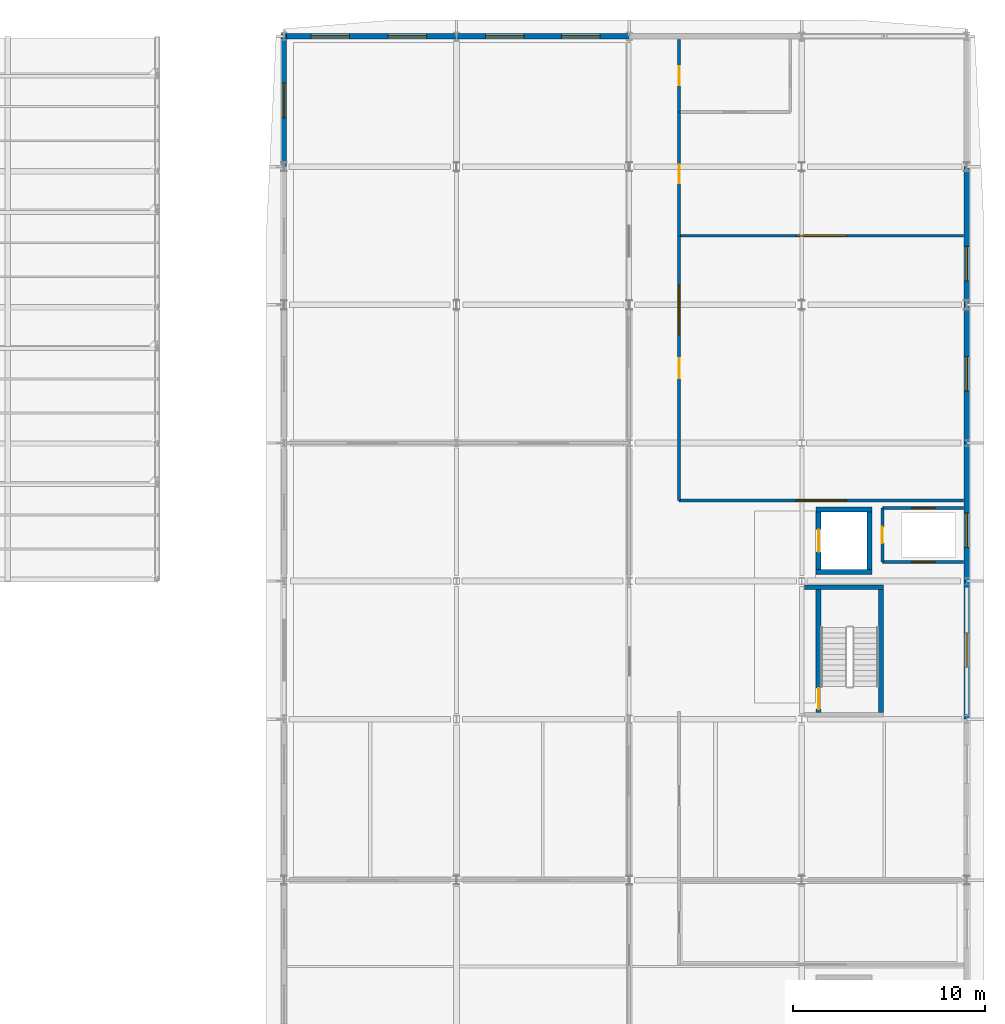
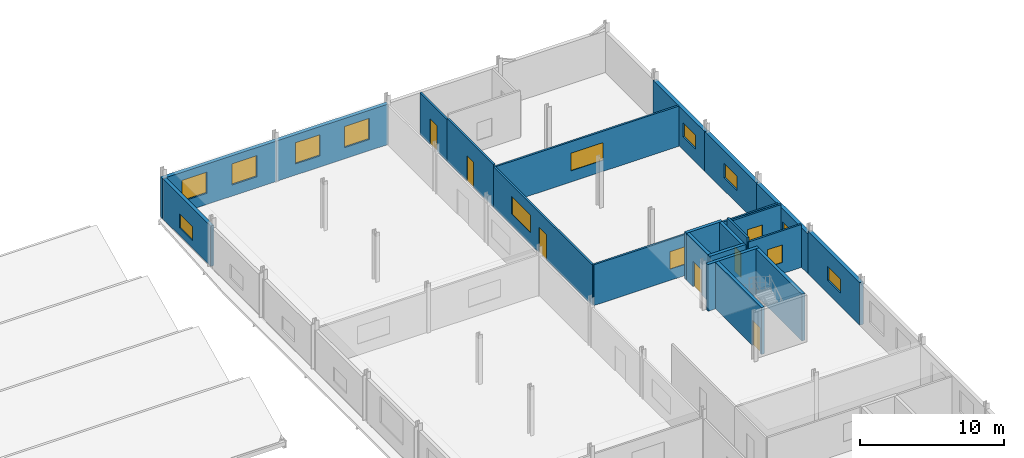
# One storey, part 122 of 138: 22 walls, 14 windows, 6 doors, 20 openings.
"""IFC4 building model written with IfcOpenShell, lengths in metres."""

from ifc_helpers import new_model, si_unit, direction, frame, frame_2d, origin, place, context, subcontext, project, spatial, rectangle, extrude, material, layer, layer_set, type_object, element, fill, save


model = new_model("IFC4")

# Units and contexts
model_context = context("Model", 3, precision=1e-05, world=origin(), true_north=direction((0.0, 1.0)))
body_context = subcontext(model_context, "Body", "Model", "MODEL_VIEW")
ifc_project = project(units=[si_unit("LENGTHUNIT", "METRE"), si_unit("AREAUNIT", "SQUARE_METRE"), si_unit("VOLUMEUNIT", "CUBIC_METRE"), si_unit("PLANEANGLEUNIT", "RADIAN"), si_unit("MASSUNIT", "GRAM", prefix="KILO")], contexts=[model_context])

# Site, building, storey
site_placement = place(None, origin())
site = spatial("IfcSite", under=ifc_project, at=site_placement, CompositionType="ELEMENT")
building_placement = place(site_placement, origin())
building = spatial("IfcBuilding", under=site, at=building_placement, Name="Vinh Khe Railworks Police Headquarters", CompositionType="ELEMENT")
storey_placement = place(building_placement, frame((0.0, 0.0, 9.0)))
storey = spatial("IfcBuildingStorey", under=building, at=storey_placement, Name="L02", CompositionType="ELEMENT", Elevation=9.0)

# Wall
ifc_material_1 = material(Name="Concrete C40/50 (B40)", Category="concrete")
ifc_layer_1 = layer(ifc_material_1, 0.25)
ifc_layer_set_1 = layer_set([ifc_layer_1], Name="Concrete C40/50 (B40)")
wall_type_1 = type_object("IfcWallType", Name="Core Shear Wall 250", PredefinedType="SHEAR", material=ifc_layer_set_1)
wall_1_placement = place(storey_placement, frame((105.14990234375, 137.675048828125, 0.0), z_axis=(0.0, 0.0, 1.0), x_axis=(1.0, 0.0, 0.0)))
element("IfcWall", 1, at=wall_1_placement, inside=storey, type_object=wall_type_1, Name="Core C3 STAIR-N Shear Wall (L02)", PredefinedType="SHEAR", context=body_context, shape_type="SweptSolid", body=[
    extrude(rectangle(XDim=4.10009765625, YDim=0.25, at=frame_2d((2.050048828125, 0.0))), origin(), (0.0, 0.0, 1.0), 3.97998046875),
])

# Wall, opening, door
wall_2_placement = place(storey_placement, frame((105.875, 131.14990234375, 0.0), z_axis=(0.0, 0.0, 1.0), x_axis=(0.0, 1.0, 0.0)))
wall_2 = element("IfcWall", 2, at=wall_2_placement, inside=storey, type_object=wall_type_1, Name="Core C3 STAIR-W Shear Wall (L02)", PredefinedType="SHEAR", context=body_context, shape_type="SweptSolid", body=[
    extrude(rectangle(XDim=6.400146484375, YDim=0.25, at=frame_2d((3.2001953125, 0.0))), origin(), (0.0, 0.0, 1.0), 3.97998046875),
])
opening_1_placement = place(wall_2_placement, frame((0.169921875, 0.0, 0.0)))
opening_1 = element("IfcOpeningElement", 3, at=opening_1_placement, cuts=wall_2, Name="Opening FD-01", PredefinedType="OPENING", context=body_context, shape_type="SweptSolid", body=[
    extrude(rectangle(XDim=1.10009765625, YDim=2.14990234375, at=frame_2d((0.550048828125, 1.074951171875))), frame((0.0, 0.139892578125, 0.0), z_axis=(0.0, -1.0, 0.0), x_axis=(1.0, 0.0, 0.0)), (0.0, 0.0, 1.0), 0.27978515625),
])
ifc_material_2 = material(Name="Painted galvanised steel", Category="steel")
door_type_1 = type_object("IfcDoorType", Name="FD-1100x2150", OperationType="NOTDEFINED", PredefinedType="DOOR", material=ifc_material_2)
door_1_placement = place(opening_1_placement, origin())
door_1 = element("IfcDoor", 4, at=door_1_placement, inside=storey, type_object=door_type_1, Name="Escape Stair ST-03 Fire Door L02", OperationType="SINGLE_SWING_LEFT", OverallHeight=2.14990234375, OverallWidth=1.10009765625, PredefinedType="DOOR", context=body_context, shape_type="SweptSolid", body=[
    extrude(rectangle(XDim=1.10009765625, YDim=2.14990234375, at=frame_2d((0.550048828125, 1.074951171875))), frame((0.0, 0.02490234375, 0.0), z_axis=(0.0, -1.0, 0.0), x_axis=(1.0, 0.0, 0.0)), (0.0, 0.0, 1.0), 0.050048828125),
])
fill(opening_1, door_1)

# Walls
wall_3_placement = place(storey_placement, frame((109.125, 131.14990234375, 0.0), z_axis=(0.0, 0.0, 1.0), x_axis=(0.0, 1.0, 0.0)))
element("IfcWall", 5, at=wall_3_placement, inside=storey, type_object=wall_type_1, Name="Core C3 STAIR-E Shear Wall (L02)", PredefinedType="SHEAR", context=body_context, shape_type="SweptSolid", body=[
    extrude(rectangle(XDim=6.400146484375, YDim=0.25, at=frame_2d((3.2001953125, 0.0))), origin(), (0.0, 0.0, 1.0), 3.97998046875),
])
for number, where, z_axis, x_axis, name in (
    (6, (105.75, 138.47509765625, 0.0), (0.0, 0.0, 1.0), (1.0, 0.0, 0.0), "Core C3 PL-S Lift Shaft Wall (L02)"),
    (7, (105.75, 141.72509765625, 0.0), (0.0, 0.0, 1.0), (1.0, 0.0, 0.0), "Core C3 PL-N Lift Shaft Wall (L02)"),
):
    element("IfcWall", number, at=place(storey_placement, frame(where, z_axis=z_axis, x_axis=x_axis)), inside=storey, type_object=wall_type_1, Name=name, PredefinedType="SHEAR", context=body_context, shape_type="SweptSolid", body=[
        extrude(rectangle(XDim=2.89990234375, YDim=0.25, at=frame_2d((1.449951171875, 0.0))), origin(), (0.0, 0.0, 1.0), 3.97998046875),
    ])

# Wall, opening, door
wall_4_placement = place(storey_placement, frame((105.875, 138.60009765625, 0.0), z_axis=(0.0, 0.0, 1.0), x_axis=(0.0, 1.0, 0.0)))
wall_4 = element("IfcWall", 8, at=wall_4_placement, inside=storey, type_object=wall_type_1, Name="Core C3 PL-W Lift Shaft Wall (L02)", PredefinedType="SHEAR", context=body_context, shape_type="SweptSolid", body=[
    extrude(rectangle(XDim=3.0, YDim=0.25, at=frame_2d((1.5, 0.0))), origin(), (0.0, 0.0, 1.0), 3.97998046875),
])
opening_2_placement = place(wall_4_placement, frame((0.925048828125, 0.0, 0.0)))
opening_2 = element("IfcOpeningElement", 9, at=opening_2_placement, cuts=wall_4, Name="Opening LD-03", PredefinedType="OPENING", context=body_context, shape_type="SweptSolid", body=[
    extrude(rectangle(XDim=1.14990234375, YDim=2.14990234375, at=frame_2d((0.574951171875, 1.074951171875))), frame((0.0, 0.139892578125, 0.0), z_axis=(0.0, -1.0, 0.0), x_axis=(1.0, 0.0, 0.0)), (0.0, 0.0, 1.0), 0.27978515625),
])
door_type_2 = type_object("IfcDoorType", Name="LD-CUST-1150", OperationType="SLIDING_TO_LEFT", PredefinedType="DOOR", material=ifc_material_2)
door_2_placement = place(opening_2_placement, origin())
door_2 = element("IfcDoor", 10, at=door_2_placement, inside=storey, type_object=door_type_2, Name="Lift Landing Door PL-03 L02", OperationType="SLIDING_TO_LEFT", OverallHeight=2.14990234375, OverallWidth=1.14990234375, PredefinedType="DOOR", context=body_context, shape_type="SweptSolid", body=[
    extrude(rectangle(XDim=1.14990234375, YDim=2.14990234375, at=frame_2d((0.574951171875, 1.074951171875))), frame((0.0, 0.02490234375, 0.0), z_axis=(0.0, -1.0, 0.0), x_axis=(1.0, 0.0, 0.0)), (0.0, 0.0, 1.0), 0.050048828125),
])
fill(opening_2, door_2)

# Wall
wall_5_placement = place(storey_placement, frame((108.52490234375, 138.60009765625, 0.0), z_axis=(0.0, 0.0, 1.0), x_axis=(0.0, 1.0, 0.0)))
element("IfcWall", 11, at=wall_5_placement, inside=storey, type_object=wall_type_1, Name="Core C3 PL-E Lift Shaft Wall (L02)", PredefinedType="SHEAR", context=body_context, shape_type="SweptSolid", body=[
    extrude(rectangle(XDim=3.0, YDim=0.25, at=frame_2d((1.5, 0.0))), origin(), (0.0, 0.0, 1.0), 3.97998046875),
])

# Wall, opening, window
ifc_material_3 = material(Name="Clay brickwork", Category="masonry")
ifc_layer_2 = layer(ifc_material_3, 0.260009765625)
ifc_layer_set_2 = layer_set([ifc_layer_2], Name="Clay brickwork")
wall_type_2 = type_object("IfcWallType", Name="EW-BRK-260", PredefinedType="SOLIDWALL", material=ifc_layer_set_2)
wall_6_placement = place(storey_placement, frame((78.0, 159.60009765625, 0.0), z_axis=(0.0, 0.0, 1.0), x_axis=(0.0, 1.0, 0.0)))
wall_6 = element("IfcWall", 12, at=wall_6_placement, inside=storey, type_object=wall_type_2, Name="Exterior Brick Wall EW-L02-V6W-09", PredefinedType="SOLIDWALL", context=body_context, shape_type="SweptSolid", body=[
    extrude(rectangle(XDim=6.929931640625, YDim=0.260009765625, at=frame_2d((3.46484375, 0.0))), origin(), (0.0, 0.0, 1.0), 3.425048828125),
])
opening_3_placement = place(wall_6_placement, frame((2.56494140625, 0.0, 0.64990234375)))
opening_3 = element("IfcOpeningElement", 13, at=opening_3_placement, cuts=wall_6, Name="Opening WN-08", PredefinedType="OPENING", context=body_context, shape_type="SweptSolid", body=[
    extrude(rectangle(XDim=1.800048828125, YDim=1.199951171875, at=frame_2d((0.89990234375, 0.60009765625))), frame((0.0, 0.14501953125, 0.0), z_axis=(0.0, -1.0, 0.0), x_axis=(1.0, 0.0, 0.0)), (0.0, 0.0, 1.0), 0.289794921875),
])
ifc_material_4 = material(Name="Double-glazed solar-control glass in dark steel frame", Category="steel")
window_type_1 = type_object("IfcWindowType", Name="WIN-WN-08", PartitioningType="SINGLE_PANEL", PredefinedType="WINDOW", material=ifc_material_4)
window_1_placement = place(opening_3_placement, origin())
window_1 = element("IfcWindow", 14, at=window_1_placement, inside=storey, type_object=window_type_1, Name="Casement Window WN-08", OverallHeight=1.199951171875, OverallWidth=1.800048828125, PartitioningType="SINGLE_PANEL", PredefinedType="WINDOW", context=body_context, shape_type="SweptSolid", body=[
    extrude(rectangle(XDim=1.800048828125, YDim=1.199951171875, at=frame_2d((0.89990234375, 0.60009765625))), frame((0.0, 0.030029296875, 0.0), z_axis=(0.0, -1.0, 0.0), x_axis=(1.0, 0.0, 0.0)), (0.0, 0.0, 1.0), 0.06005859375),
])
fill(opening_3, window_1)

ifc_layer_3 = layer(ifc_material_3, 0.300048828125)
ifc_layer_set_3 = layer_set([ifc_layer_3], Name="Clay brickwork")
wall_type_3 = type_object("IfcWallType", Name="EW-BRK-300", PredefinedType="SOLIDWALL", material=ifc_layer_set_3)
wall_7_placement = place(storey_placement, frame((113.60009765625, 130.800048828125, 0.0), z_axis=(0.0, 0.0, 1.0), x_axis=(0.0, 1.0, 0.0)))
wall_7 = element("IfcWall", 15, at=wall_7_placement, inside=storey, type_object=wall_type_3, Name="Exterior Brick Wall EW-L02-V6E-05", PredefinedType="SOLIDWALL", context=body_context, shape_type="SweptSolid", body=[
    extrude(rectangle(XDim=7.199951171875, YDim=0.300048828125, at=frame_2d((3.60009765625, 0.0))), origin(), (0.0, 0.0, 1.0), 3.625),
])
opening_4_placement = place(wall_7_placement, frame((2.699951171875, 0.0, 1.10009765625)))
opening_4 = element("IfcOpeningElement", 16, at=opening_4_placement, cuts=wall_7, Name="Opening WN-08", PredefinedType="OPENING", context=body_context, shape_type="SweptSolid", body=[
    extrude(rectangle(XDim=1.800048828125, YDim=1.199951171875, at=frame_2d((0.89990234375, 0.60009765625))), frame((0.0, 0.1650390625, 0.0), z_axis=(0.0, -1.0, 0.0), x_axis=(1.0, 0.0, 0.0)), (0.0, 0.0, 1.0), 0.329833984375),
])
window_2_placement = place(opening_4_placement, origin())
window_2 = element("IfcWindow", 17, at=window_2_placement, inside=storey, type_object=window_type_1, Name="Casement Window WN-08", OverallHeight=1.199951171875, OverallWidth=1.800048828125, PartitioningType="SINGLE_PANEL", PredefinedType="WINDOW", context=body_context, shape_type="SweptSolid", body=[
    extrude(rectangle(XDim=1.800048828125, YDim=1.199951171875, at=frame_2d((0.89990234375, 0.60009765625))), frame((0.0, 0.030029296875, 0.0), z_axis=(0.0, -1.0, 0.0), x_axis=(1.0, 0.0, 0.0)), (0.0, 0.0, 1.0), 0.06005859375),
])
fill(opening_4, window_2)

wall_8_placement = place(storey_placement, frame((113.60009765625, 138.0, 0.0), z_axis=(0.0, 0.0, 1.0), x_axis=(0.0, 1.0, 0.0)))
wall_8 = element("IfcWall", 18, at=wall_8_placement, inside=storey, type_object=wall_type_3, Name="Exterior Brick Wall EW-L02-V6E-06", PredefinedType="SOLIDWALL", context=body_context, shape_type="SweptSolid", body=[
    extrude(rectangle(XDim=7.199951171875, YDim=0.300048828125, at=frame_2d((3.60009765625, 0.0))), origin(), (0.0, 0.0, 1.0), 3.375),
])
opening_5_placement = place(wall_8_placement, frame((1.75, 0.0, 1.10009765625)))
opening_5 = element("IfcOpeningElement", 19, at=opening_5_placement, cuts=wall_8, Name="Opening WN-08", PredefinedType="OPENING", context=body_context, shape_type="SweptSolid", body=[
    extrude(rectangle(XDim=1.800048828125, YDim=1.199951171875, at=frame_2d((0.89990234375, 0.60009765625))), frame((0.0, 0.1650390625, 0.0), z_axis=(0.0, -1.0, 0.0), x_axis=(1.0, 0.0, 0.0)), (0.0, 0.0, 1.0), 0.329833984375),
])
window_3_placement = place(opening_5_placement, origin())
window_3 = element("IfcWindow", 20, at=window_3_placement, inside=storey, type_object=window_type_1, Name="Casement Window WN-08", OverallHeight=1.199951171875, OverallWidth=1.800048828125, PartitioningType="SINGLE_PANEL", PredefinedType="WINDOW", context=body_context, shape_type="SweptSolid", body=[
    extrude(rectangle(XDim=1.800048828125, YDim=1.199951171875, at=frame_2d((0.89990234375, 0.60009765625))), frame((0.0, 0.030029296875, 0.0), z_axis=(0.0, -1.0, 0.0), x_axis=(1.0, 0.0, 0.0)), (0.0, 0.0, 1.0), 0.06005859375),
])
fill(opening_5, window_3)

wall_9_placement = place(storey_placement, frame((113.60009765625, 145.199951171875, 0.0), z_axis=(0.0, 0.0, 1.0), x_axis=(0.0, 1.0, 0.0)))
wall_9 = element("IfcWall", 21, at=wall_9_placement, inside=storey, type_object=wall_type_3, Name="Exterior Brick Wall EW-L02-V6E-07", PredefinedType="SOLIDWALL", context=body_context, shape_type="SweptSolid", body=[
    extrude(rectangle(XDim=7.199951171875, YDim=0.300048828125, at=frame_2d((3.60009765625, 0.0))), origin(), (0.0, 0.0, 1.0), 3.375),
])
opening_6_placement = place(wall_9_placement, frame((2.699951171875, 0.0, 1.10009765625)))
opening_6 = element("IfcOpeningElement", 22, at=opening_6_placement, cuts=wall_9, Name="Opening WN-08", PredefinedType="OPENING", context=body_context, shape_type="SweptSolid", body=[
    extrude(rectangle(XDim=1.800048828125, YDim=1.199951171875, at=frame_2d((0.89990234375, 0.60009765625))), frame((0.0, 0.1650390625, 0.0), z_axis=(0.0, -1.0, 0.0), x_axis=(1.0, 0.0, 0.0)), (0.0, 0.0, 1.0), 0.329833984375),
])
window_4_placement = place(opening_6_placement, origin())
window_4 = element("IfcWindow", 23, at=window_4_placement, inside=storey, type_object=window_type_1, Name="Casement Window WN-08", OverallHeight=1.199951171875, OverallWidth=1.800048828125, PartitioningType="SINGLE_PANEL", PredefinedType="WINDOW", context=body_context, shape_type="SweptSolid", body=[
    extrude(rectangle(XDim=1.800048828125, YDim=1.199951171875, at=frame_2d((0.89990234375, 0.60009765625))), frame((0.0, 0.030029296875, 0.0), z_axis=(0.0, -1.0, 0.0), x_axis=(1.0, 0.0, 0.0)), (0.0, 0.0, 1.0), 0.06005859375),
])
fill(opening_6, window_4)

wall_10_placement = place(storey_placement, frame((113.60009765625, 152.39990234375, 0.0), z_axis=(0.0, 0.0, 1.0), x_axis=(0.0, 1.0, 0.0)))
wall_10 = element("IfcWall", 24, at=wall_10_placement, inside=storey, type_object=wall_type_3, Name="Exterior Brick Wall EW-L02-V6E-08", PredefinedType="SOLIDWALL", context=body_context, shape_type="SweptSolid", body=[
    extrude(rectangle(XDim=7.2001953125, YDim=0.300048828125, at=frame_2d((3.60009765625, 0.0))), origin(), (0.0, 0.0, 1.0), 3.375),
])
opening_7_placement = place(wall_10_placement, frame((1.25, 0.0, 1.10009765625)))
opening_7 = element("IfcOpeningElement", 25, at=opening_7_placement, cuts=wall_10, Name="Opening WN-08", PredefinedType="OPENING", context=body_context, shape_type="SweptSolid", body=[
    extrude(rectangle(XDim=1.800048828125, YDim=1.199951171875, at=frame_2d((0.89990234375, 0.60009765625))), frame((0.0, 0.1650390625, 0.0), z_axis=(0.0, -1.0, 0.0), x_axis=(1.0, 0.0, 0.0)), (0.0, 0.0, 1.0), 0.329833984375),
])
window_5_placement = place(opening_7_placement, origin())
window_5 = element("IfcWindow", 26, at=window_5_placement, inside=storey, type_object=window_type_1, Name="Casement Window WN-08", OverallHeight=1.199951171875, OverallWidth=1.800048828125, PartitioningType="SINGLE_PANEL", PredefinedType="WINDOW", context=body_context, shape_type="SweptSolid", body=[
    extrude(rectangle(XDim=1.800048828125, YDim=1.199951171875, at=frame_2d((0.89990234375, 0.60009765625))), frame((0.0, 0.030029296875, 0.0), z_axis=(0.0, -1.0, 0.0), x_axis=(1.0, 0.0, 0.0)), (0.0, 0.0, 1.0), 0.06005859375),
])
fill(opening_7, window_5)

# Wall, openings, windows
wall_11_placement = place(storey_placement, frame((77.85009765625, 166.39990234375, 0.0), z_axis=(0.0, 0.0, 1.0), x_axis=(1.0, 0.0, 0.0)))
wall_11 = element("IfcWall", 27, at=wall_11_placement, inside=storey, type_object=wall_type_3, Name="Exterior Brick Wall EW-L02-V6N-01", PredefinedType="SOLIDWALL", context=body_context, shape_type="SweptSolid", body=[
    extrude(rectangle(XDim=9.14990234375, YDim=0.300048828125, at=frame_2d((4.574951171875, 0.0))), origin(), (0.0, 0.0, 1.0), 3.43505859375),
])
opening_8_placement = place(wall_11_placement, frame((1.56201171875, 0.0, 0.949951171875)))
opening_8 = element("IfcOpeningElement", 28, at=opening_8_placement, cuts=wall_11, Name="Opening WN-04", PredefinedType="OPENING", context=body_context, shape_type="SweptSolid", body=[
    extrude(rectangle(XDim=2.0, YDim=1.800048828125, at=frame_2d((1.0, 0.89990234375))), frame((0.0, 0.1650390625, 0.0), z_axis=(0.0, -1.0, 0.0), x_axis=(1.0, 0.0, 0.0)), (0.0, 0.0, 1.0), 0.329833984375),
])
opening_9_placement = place(wall_11_placement, frame((5.587890625, 0.0, 0.949951171875)))
opening_9 = element("IfcOpeningElement", 29, at=opening_9_placement, cuts=wall_11, Name="Opening WN-04", PredefinedType="OPENING", context=body_context, shape_type="SweptSolid", body=[
    extrude(rectangle(XDim=2.0, YDim=1.800048828125, at=frame_2d((1.0, 0.89990234375))), frame((0.0, 0.1650390625, 0.0), z_axis=(0.0, -1.0, 0.0), x_axis=(1.0, 0.0, 0.0)), (0.0, 0.0, 1.0), 0.329833984375),
])
window_type_2 = type_object("IfcWindowType", Name="WIN-WN-04", PartitioningType="DOUBLE_PANEL_VERTICAL", PredefinedType="WINDOW", material=ifc_material_4)
window_6_placement = place(opening_8_placement, origin())
window_6 = element("IfcWindow", 30, at=window_6_placement, inside=storey, type_object=window_type_2, Name="Casement Window WN-04", OverallHeight=1.800048828125, OverallWidth=2.0, PartitioningType="SINGLE_PANEL", PredefinedType="WINDOW", context=body_context, shape_type="SweptSolid", body=[
    extrude(rectangle(XDim=2.0, YDim=1.800048828125, at=frame_2d((1.0, 0.89990234375))), frame((0.0, 0.030029296875, 0.0), z_axis=(0.0, -1.0, 0.0), x_axis=(1.0, 0.0, 0.0)), (0.0, 0.0, 1.0), 0.06005859375),
])
fill(opening_8, window_6)
window_7_placement = place(opening_9_placement, origin())
window_7 = element("IfcWindow", 31, at=window_7_placement, inside=storey, type_object=window_type_2, Name="Casement Window WN-04", OverallHeight=1.800048828125, OverallWidth=2.0, PartitioningType="SINGLE_PANEL", PredefinedType="WINDOW", context=body_context, shape_type="SweptSolid", body=[
    extrude(rectangle(XDim=2.0, YDim=1.800048828125, at=frame_2d((1.0, 0.89990234375))), frame((0.0, 0.030029296875, 0.0), z_axis=(0.0, -1.0, 0.0), x_axis=(1.0, 0.0, 0.0)), (0.0, 0.0, 1.0), 0.06005859375),
])
fill(opening_9, window_7)

wall_12_placement = place(storey_placement, frame((87.0, 166.39990234375, 0.0), z_axis=(0.0, 0.0, 1.0), x_axis=(1.0, 0.0, 0.0)))
wall_12 = element("IfcWall", 32, at=wall_12_placement, inside=storey, type_object=wall_type_3, Name="Exterior Brick Wall EW-L02-V6N-02", PredefinedType="SOLIDWALL", context=body_context, shape_type="SweptSolid", body=[
    extrude(rectangle(XDim=9.0, YDim=0.300048828125, at=frame_2d((4.5, 0.0))), origin(), (0.0, 0.0, 1.0), 3.43505859375),
])
opening_10_placement = place(wall_12_placement, frame((1.52001953125, 0.0, 0.949951171875)))
opening_10 = element("IfcOpeningElement", 33, at=opening_10_placement, cuts=wall_12, Name="Opening WN-04", PredefinedType="OPENING", context=body_context, shape_type="SweptSolid", body=[
    extrude(rectangle(XDim=2.0, YDim=1.800048828125, at=frame_2d((1.0, 0.89990234375))), frame((0.0, 0.1650390625, 0.0), z_axis=(0.0, -1.0, 0.0), x_axis=(1.0, 0.0, 0.0)), (0.0, 0.0, 1.0), 0.329833984375),
])
opening_11_placement = place(wall_12_placement, frame((5.47998046875, 0.0, 0.949951171875)))
opening_11 = element("IfcOpeningElement", 34, at=opening_11_placement, cuts=wall_12, Name="Opening WN-04", PredefinedType="OPENING", context=body_context, shape_type="SweptSolid", body=[
    extrude(rectangle(XDim=2.0, YDim=1.800048828125, at=frame_2d((1.0, 0.89990234375))), frame((0.0, 0.1650390625, 0.0), z_axis=(0.0, -1.0, 0.0), x_axis=(1.0, 0.0, 0.0)), (0.0, 0.0, 1.0), 0.329833984375),
])
window_8_placement = place(opening_10_placement, origin())
window_8 = element("IfcWindow", 35, at=window_8_placement, inside=storey, type_object=window_type_2, Name="Casement Window WN-04", OverallHeight=1.800048828125, OverallWidth=2.0, PartitioningType="SINGLE_PANEL", PredefinedType="WINDOW", context=body_context, shape_type="SweptSolid", body=[
    extrude(rectangle(XDim=2.0, YDim=1.800048828125, at=frame_2d((1.0, 0.89990234375))), frame((0.0, 0.030029296875, 0.0), z_axis=(0.0, -1.0, 0.0), x_axis=(1.0, 0.0, 0.0)), (0.0, 0.0, 1.0), 0.06005859375),
])
fill(opening_10, window_8)
window_9_placement = place(opening_11_placement, origin())
window_9 = element("IfcWindow", 36, at=window_9_placement, inside=storey, type_object=window_type_2, Name="Casement Window WN-04", OverallHeight=1.800048828125, OverallWidth=2.0, PartitioningType="SINGLE_PANEL", PredefinedType="WINDOW", context=body_context, shape_type="SweptSolid", body=[
    extrude(rectangle(XDim=2.0, YDim=1.800048828125, at=frame_2d((1.0, 0.89990234375))), frame((0.0, 0.030029296875, 0.0), z_axis=(0.0, -1.0, 0.0), x_axis=(1.0, 0.0, 0.0)), (0.0, 0.0, 1.0), 0.06005859375),
])
fill(opening_11, window_9)

# Wall, opening, window
ifc_material_5 = material(Name="Gypsum plasterboard on steel stud", Category="steel")
ifc_layer_4 = layer(ifc_material_5, 0.1201171875)
ifc_layer_set_4 = layer_set([ifc_layer_4], Name="Gypsum plasterboard on steel stud")
wall_type_4 = type_object("IfcWallType", Name="IW-PART-120", PredefinedType="PARTITIONING", material=ifc_layer_set_4)
wall_13_placement = place(storey_placement, frame((98.60009765625, 142.199951171875, 0.0), z_axis=(0.0, 0.0, 1.0), x_axis=(1.0, 0.0, 0.0)))
wall_13 = element("IfcWall", 37, at=wall_13_placement, inside=storey, type_object=wall_type_4, Name="Interior Partition W-L02-V6-QDOC-DIV", PredefinedType="PARTITIONING", context=body_context, shape_type="SweptSolid", body=[
    extrude(rectangle(XDim=14.83984375, YDim=0.14990234375, at=frame_2d((7.419921875, 0.0))), origin(), (0.0, 0.0, 1.0), 3.47509765625),
])
opening_12_placement = place(wall_13_placement, frame((6.1201171875, 0.0, 0.949951171875)))
opening_12 = element("IfcOpeningElement", 38, at=opening_12_placement, cuts=wall_13, Name="Opening WN-07", PredefinedType="OPENING", context=body_context, shape_type="SweptSolid", body=[
    extrude(rectangle(XDim=2.60009765625, YDim=1.5, at=frame_2d((1.300048828125, 0.75))), frame((0.0, 0.08984375, 0.0), z_axis=(0.0, -1.0, 0.0), x_axis=(1.0, 0.0, 0.0)), (0.0, 0.0, 1.0), 0.1796875),
])
window_type_3 = type_object("IfcWindowType", Name="WIN-WN-07", PartitioningType="DOUBLE_PANEL_HORIZONTAL", PredefinedType="WINDOW", material=ifc_material_4)
window_10_placement = place(opening_12_placement, origin())
window_10 = element("IfcWindow", 39, at=window_10_placement, inside=storey, type_object=window_type_3, Name="Interior Acoustic Vision Window WN-07", OverallHeight=1.5, OverallWidth=2.60009765625, PartitioningType="SINGLE_PANEL", PredefinedType="WINDOW", context=body_context, shape_type="SweptSolid", body=[
    extrude(rectangle(XDim=2.60009765625, YDim=1.5, at=frame_2d((1.300048828125, 0.75))), frame((0.0, 0.030029296875, 0.0), z_axis=(0.0, -1.0, 0.0), x_axis=(1.0, 0.0, 0.0)), (0.0, 0.0, 1.0), 0.06005859375),
])
fill(opening_12, window_10)

wall_14_placement = place(storey_placement, frame((98.60009765625, 156.0, 0.0), z_axis=(0.0, 0.0, 1.0), x_axis=(1.0, 0.0, 0.0)))
wall_14 = element("IfcWall", 40, at=wall_14_placement, inside=storey, type_object=wall_type_4, Name="Interior Partition W-L02-V6-V6WC2-DIV", PredefinedType="PARTITIONING", context=body_context, shape_type="SweptSolid", body=[
    extrude(rectangle(XDim=14.83984375, YDim=0.14990234375, at=frame_2d((7.419921875, 0.0))), origin(), (0.0, 0.0, 1.0), 3.425048828125),
])
opening_13_placement = place(wall_14_placement, frame((6.1201171875, 0.0, 0.949951171875)))
opening_13 = element("IfcOpeningElement", 41, at=opening_13_placement, cuts=wall_14, Name="Opening WN-07", PredefinedType="OPENING", context=body_context, shape_type="SweptSolid", body=[
    extrude(rectangle(XDim=2.60009765625, YDim=1.5, at=frame_2d((1.300048828125, 0.75))), frame((0.0, 0.08984375, 0.0), z_axis=(0.0, -1.0, 0.0), x_axis=(1.0, 0.0, 0.0)), (0.0, 0.0, 1.0), 0.1796875),
])
window_11_placement = place(opening_13_placement, origin())
window_11 = element("IfcWindow", 42, at=window_11_placement, inside=storey, type_object=window_type_3, Name="Interior Acoustic Vision Window WN-07", OverallHeight=1.5, OverallWidth=2.60009765625, PartitioningType="SINGLE_PANEL", PredefinedType="WINDOW", context=body_context, shape_type="SweptSolid", body=[
    extrude(rectangle(XDim=2.60009765625, YDim=1.5, at=frame_2d((1.300048828125, 0.75))), frame((0.0, 0.030029296875, 0.0), z_axis=(0.0, -1.0, 0.0), x_axis=(1.0, 0.0, 0.0)), (0.0, 0.0, 1.0), 0.06005859375),
])
fill(opening_13, window_11)

ifc_material_6 = material(Name="Gypsum plasterboard on acoustic steel stud", Category="steel")
ifc_layer_5 = layer(ifc_material_6, 0.14990234375)
ifc_layer_set_5 = layer_set([ifc_layer_5], Name="Gypsum plasterboard on acoustic steel stud")
wall_type_5 = type_object("IfcWallType", Name="IW-PART-150", PredefinedType="PARTITIONING", material=ifc_layer_set_5)
wall_15_placement = place(storey_placement, frame((109.199951171875, 139.0, 0.0), z_axis=(0.0, 0.0, 1.0), x_axis=(1.0, 0.0, 0.0)))
wall_15 = element("IfcWall", 43, at=wall_15_placement, inside=storey, type_object=wall_type_5, Name="Interior Partition W-RSR-C3-S-L02", PredefinedType="PARTITIONING", context=body_context, shape_type="SweptSolid", body=[
    extrude(rectangle(XDim=4.239990234375, YDim=0.14990234375, at=frame_2d((2.1201171875, 0.0))), origin(), (0.0, 0.0, 1.0), 3.64501953125),
])
opening_14_placement = place(wall_15_placement, frame((1.52001953125, 0.0, 0.949951171875)))
opening_14 = element("IfcOpeningElement", 44, at=opening_14_placement, cuts=wall_15, Name="Opening WN-10", PredefinedType="OPENING", context=body_context, shape_type="SweptSolid", body=[
    extrude(rectangle(XDim=1.199951171875, YDim=1.5, at=frame_2d((0.60009765625, 0.75))), frame((0.0, 0.08984375, 0.0), z_axis=(0.0, -1.0, 0.0), x_axis=(1.0, 0.0, 0.0)), (0.0, 0.0, 1.0), 0.1796875),
])
window_type_4 = type_object("IfcWindowType", Name="WIN-WN-10", PartitioningType="SINGLE_PANEL", PredefinedType="WINDOW", material=ifc_material_4)
window_12_placement = place(opening_14_placement, origin())
window_12 = element("IfcWindow", 45, at=window_12_placement, inside=storey, type_object=window_type_4, Name="Interior Acoustic Vision Window WN-10", OverallHeight=1.5, OverallWidth=1.199951171875, PartitioningType="SINGLE_PANEL", PredefinedType="WINDOW", context=body_context, shape_type="SweptSolid", body=[
    extrude(rectangle(XDim=1.199951171875, YDim=1.5, at=frame_2d((0.60009765625, 0.75))), frame((0.0, 0.030029296875, 0.0), z_axis=(0.0, -1.0, 0.0), x_axis=(1.0, 0.0, 0.0)), (0.0, 0.0, 1.0), 0.06005859375),
])
fill(opening_14, window_12)

wall_16_placement = place(storey_placement, frame((109.199951171875, 141.800048828125, 0.0), z_axis=(0.0, 0.0, 1.0), x_axis=(1.0, 0.0, 0.0)))
wall_16 = element("IfcWall", 46, at=wall_16_placement, inside=storey, type_object=wall_type_5, Name="Interior Partition W-RSR-C3-N-L02", PredefinedType="PARTITIONING", context=body_context, shape_type="SweptSolid", body=[
    extrude(rectangle(XDim=4.239990234375, YDim=0.14990234375, at=frame_2d((2.1201171875, 0.0))), origin(), (0.0, 0.0, 1.0), 3.64501953125),
])
opening_15_placement = place(wall_16_placement, frame((1.52001953125, 0.0, 0.949951171875)))
opening_15 = element("IfcOpeningElement", 47, at=opening_15_placement, cuts=wall_16, Name="Opening WN-10", PredefinedType="OPENING", context=body_context, shape_type="SweptSolid", body=[
    extrude(rectangle(XDim=1.199951171875, YDim=1.5, at=frame_2d((0.60009765625, 0.75))), frame((0.0, 0.08984375, 0.0), z_axis=(0.0, -1.0, 0.0), x_axis=(1.0, 0.0, 0.0)), (0.0, 0.0, 1.0), 0.1796875),
])
window_13_placement = place(opening_15_placement, origin())
window_13 = element("IfcWindow", 48, at=window_13_placement, inside=storey, type_object=window_type_4, Name="Interior Acoustic Vision Window WN-10", OverallHeight=1.5, OverallWidth=1.199951171875, PartitioningType="SINGLE_PANEL", PredefinedType="WINDOW", context=body_context, shape_type="SweptSolid", body=[
    extrude(rectangle(XDim=1.199951171875, YDim=1.5, at=frame_2d((0.60009765625, 0.75))), frame((0.0, 0.030029296875, 0.0), z_axis=(0.0, -1.0, 0.0), x_axis=(1.0, 0.0, 0.0)), (0.0, 0.0, 1.0), 0.06005859375),
])
fill(opening_15, window_13)

# Wall, opening, door
wall_17_placement = place(storey_placement, frame((109.199951171875, 139.0, 0.0), z_axis=(0.0, 0.0, 1.0), x_axis=(0.0, 1.0, 0.0)))
wall_17 = element("IfcWall", 49, at=wall_17_placement, inside=storey, type_object=wall_type_5, Name="Interior Partition W-RSR-C3-W-L02", PredefinedType="PARTITIONING", context=body_context, shape_type="SweptSolid", body=[
    extrude(rectangle(XDim=2.800048828125, YDim=0.14990234375, at=frame_2d((1.39990234375, 0.0))), origin(), (0.0, 0.0, 1.0), 3.97509765625),
])
opening_16_placement = place(wall_17_placement, frame((0.97509765625, 0.0, 0.0)))
opening_16 = element("IfcOpeningElement", 50, at=opening_16_placement, cuts=wall_17, Name="Opening FD-04", PredefinedType="OPENING", context=body_context, shape_type="SweptSolid", body=[
    extrude(rectangle(XDim=0.85009765625, YDim=2.10009765625, at=frame_2d((0.425048828125, 1.050048828125))), frame((0.0, 0.08984375, 0.0), z_axis=(0.0, -1.0, 0.0), x_axis=(1.0, 0.0, 0.0)), (0.0, 0.0, 1.0), 0.1796875),
])
door_type_3 = type_object("IfcDoorType", Name="FD-850x2100", OperationType="NOTDEFINED", PredefinedType="DOOR", material=ifc_material_2)
door_3_placement = place(opening_16_placement, frame((0.85009765625, 0.0, 0.0), z_axis=(0.0, 0.0, 1.0), x_axis=(-1.0, 0.0, 0.0)))
door_3 = element("IfcDoor", 51, at=door_3_placement, inside=storey, type_object=door_type_3, Name="Fume Riser Access Door", OperationType="SINGLE_SWING_LEFT", OverallHeight=2.10009765625, OverallWidth=0.85009765625, PredefinedType="DOOR", context=body_context, shape_type="SweptSolid", body=[
    extrude(rectangle(XDim=0.85009765625, YDim=2.10009765625, at=frame_2d((0.425048828125, 1.050048828125))), frame((0.0, 0.02490234375, 0.0), z_axis=(0.0, -1.0, 0.0), x_axis=(1.0, 0.0, 0.0)), (0.0, 0.0, 1.0), 0.050048828125),
])
fill(opening_16, door_3)

# Wall, openings, door, window
wall_18_placement = place(storey_placement, frame((98.60009765625, 142.199951171875, 0.0), z_axis=(0.0, 0.0, 1.0), x_axis=(0.0, 1.0, 0.0)))
wall_18 = element("IfcWall", 52, at=wall_18_placement, inside=storey, type_object=wall_type_5, Name="Interior Partition W-L02-V6-QDOC-CE", PredefinedType="PARTITIONING", context=body_context, shape_type="SweptSolid", body=[
    extrude(rectangle(XDim=13.800048828125, YDim=0.14990234375, at=frame_2d((6.89990234375, 0.0))), origin(), (0.0, 0.0, 1.0), 3.43505859375),
])
opening_17_placement = place(wall_18_placement, frame((6.375, 0.0, 0.0)))
opening_17 = element("IfcOpeningElement", 53, at=opening_17_placement, cuts=wall_18, Name="Opening D-02", PredefinedType="OPENING", context=body_context, shape_type="SweptSolid", body=[
    extrude(rectangle(XDim=1.050048828125, YDim=2.14990234375, at=frame_2d((0.52490234375, 1.074951171875))), frame((0.0, 0.08984375, 0.0), z_axis=(0.0, -1.0, 0.0), x_axis=(1.0, 0.0, 0.0)), (0.0, 0.0, 1.0), 0.1796875),
])
opening_18_placement = place(wall_18_placement, frame((8.635986328125, 0.0, 0.949951171875)))
opening_18 = element("IfcOpeningElement", 54, at=opening_18_placement, cuts=wall_18, Name="Opening WN-07", PredefinedType="OPENING", context=body_context, shape_type="SweptSolid", body=[
    extrude(rectangle(XDim=2.60009765625, YDim=1.5, at=frame_2d((1.300048828125, 0.75))), frame((0.0, 0.08984375, 0.0), z_axis=(0.0, -1.0, 0.0), x_axis=(1.0, 0.0, 0.0)), (0.0, 0.0, 1.0), 0.1796875),
])
ifc_material_7 = material(Name="Seasoned hardwood timber", Category="wood")
door_type_4 = type_object("IfcDoorType", Name="ID-1050x2150", OperationType="NOTDEFINED", PredefinedType="DOOR", material=ifc_material_7)
door_4_placement = place(opening_17_placement, origin())
door_4 = element("IfcDoor", 55, at=door_4_placement, inside=storey, type_object=door_type_4, Name="Questioned Documents Laboratory Door", OperationType="SINGLE_SWING_RIGHT", OverallHeight=2.14990234375, OverallWidth=1.050048828125, PredefinedType="DOOR", context=body_context, shape_type="SweptSolid", body=[
    extrude(rectangle(XDim=1.050048828125, YDim=2.14990234375, at=frame_2d((0.52490234375, 1.074951171875))), frame((0.0, 0.02490234375, 0.0), z_axis=(0.0, -1.0, 0.0), x_axis=(1.0, 0.0, 0.0)), (0.0, 0.0, 1.0), 0.050048828125),
])
fill(opening_17, door_4)
window_14_placement = place(opening_18_placement, origin())
window_14 = element("IfcWindow", 56, at=window_14_placement, inside=storey, type_object=window_type_3, Name="Interior Acoustic Vision Window WN-07", OverallHeight=1.5, OverallWidth=2.60009765625, PartitioningType="SINGLE_PANEL", PredefinedType="WINDOW", context=body_context, shape_type="SweptSolid", body=[
    extrude(rectangle(XDim=2.60009765625, YDim=1.5, at=frame_2d((1.300048828125, 0.75))), frame((0.0, 0.030029296875, 0.0), z_axis=(0.0, -1.0, 0.0), x_axis=(1.0, 0.0, 0.0)), (0.0, 0.0, 1.0), 0.06005859375),
])
fill(opening_18, window_14)

# Wall, opening, door
wall_19_placement = place(storey_placement, frame((98.60009765625, 156.0, 0.0), z_axis=(0.0, 0.0, 1.0), x_axis=(0.0, 1.0, 0.0)))
wall_19 = element("IfcWall", 57, at=wall_19_placement, inside=storey, type_object=wall_type_5, Name="Interior Partition W-L02-V6-V6WC2S-CE", PredefinedType="PARTITIONING", context=body_context, shape_type="SweptSolid", body=[
    extrude(rectangle(XDim=6.447021484375, YDim=0.14990234375, at=frame_2d((3.2236328125, 0.0))), origin(), (0.0, 0.0, 1.0), 3.625),
])
opening_19_placement = place(wall_19_placement, frame((2.7490234375, 0.0, 0.0)))
opening_19 = element("IfcOpeningElement", 58, at=opening_19_placement, cuts=wall_19, Name="Opening D-01", PredefinedType="OPENING", context=body_context, shape_type="SweptSolid", body=[
    extrude(rectangle(XDim=0.949951171875, YDim=2.14990234375, at=frame_2d((0.47509765625, 1.074951171875))), frame((0.0, 0.08984375, 0.0), z_axis=(0.0, -1.0, 0.0), x_axis=(1.0, 0.0, 0.0)), (0.0, 0.0, 1.0), 0.1796875),
])
door_type_5 = type_object("IfcDoorType", Name="ID-950x2150", OperationType="NOTDEFINED", PredefinedType="DOOR", material=ifc_material_7)
door_5_placement = place(opening_19_placement, origin())
door_5 = element("IfcDoor", 59, at=door_5_placement, inside=storey, type_object=door_type_5, Name="Floor Supplies Store Door", OperationType="SINGLE_SWING_LEFT", OverallHeight=2.14990234375, OverallWidth=0.949951171875, PredefinedType="DOOR", context=body_context, shape_type="SweptSolid", body=[
    extrude(rectangle(XDim=0.949951171875, YDim=2.14990234375, at=frame_2d((0.47509765625, 1.074951171875))), frame((0.0, 0.02490234375, 0.0), z_axis=(0.0, -1.0, 0.0), x_axis=(1.0, 0.0, 0.0)), (0.0, 0.0, 1.0), 0.050048828125),
])
fill(opening_19, door_5)

wall_20_placement = place(storey_placement, frame((98.60009765625, 162.447021484375, 0.0), z_axis=(0.0, 0.0, 1.0), x_axis=(0.0, 1.0, 0.0)))
wall_20 = element("IfcWall", 60, at=wall_20_placement, inside=storey, type_object=wall_type_5, Name="Interior Partition W-L02-V6-V6WC2-CE", PredefinedType="PARTITIONING", context=body_context, shape_type="SweptSolid", body=[
    extrude(rectangle(XDim=3.79296875, YDim=0.14990234375, at=frame_2d((1.896484375, 0.0))), origin(), (0.0, 0.0, 1.0), 3.534912109375),
])
opening_20_placement = place(wall_20_placement, frame((1.39697265625, 0.0, 0.0)))
opening_20 = element("IfcOpeningElement", 61, at=opening_20_placement, cuts=wall_20, Name="Opening D-05", PredefinedType="OPENING", context=body_context, shape_type="SweptSolid", body=[
    extrude(rectangle(XDim=1.0, YDim=2.14990234375, at=frame_2d((0.5, 1.074951171875))), frame((0.0, 0.08984375, 0.0), z_axis=(0.0, -1.0, 0.0), x_axis=(1.0, 0.0, 0.0)), (0.0, 0.0, 1.0), 0.1796875),
])
door_type_6 = type_object("IfcDoorType", Name="ID-1000x2150", OperationType="NOTDEFINED", PredefinedType="DOOR", material=ifc_material_7)
door_6_placement = place(opening_20_placement, origin())
door_6 = element("IfcDoor", 62, at=door_6_placement, inside=storey, type_object=door_type_6, Name="Staff and Accessible WC L02 East Door", OperationType="SINGLE_SWING_RIGHT", OverallHeight=2.14990234375, OverallWidth=1.0, PredefinedType="DOOR", context=body_context, shape_type="SweptSolid", body=[
    extrude(rectangle(XDim=1.0, YDim=2.14990234375, at=frame_2d((0.5, 1.074951171875))), frame((0.0, 0.02490234375, 0.0), z_axis=(0.0, -1.0, 0.0), x_axis=(1.0, 0.0, 0.0)), (0.0, 0.0, 1.0), 0.050048828125),
])
fill(opening_20, door_6)

save(model, "model.ifc")
